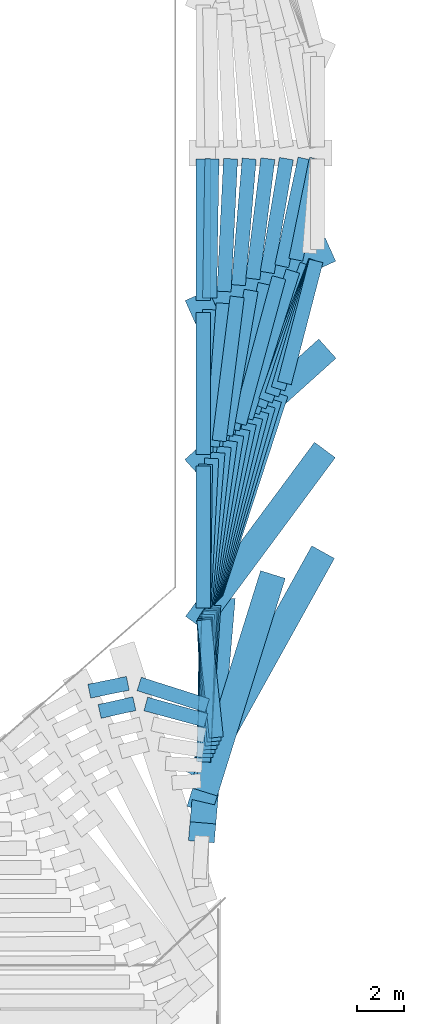
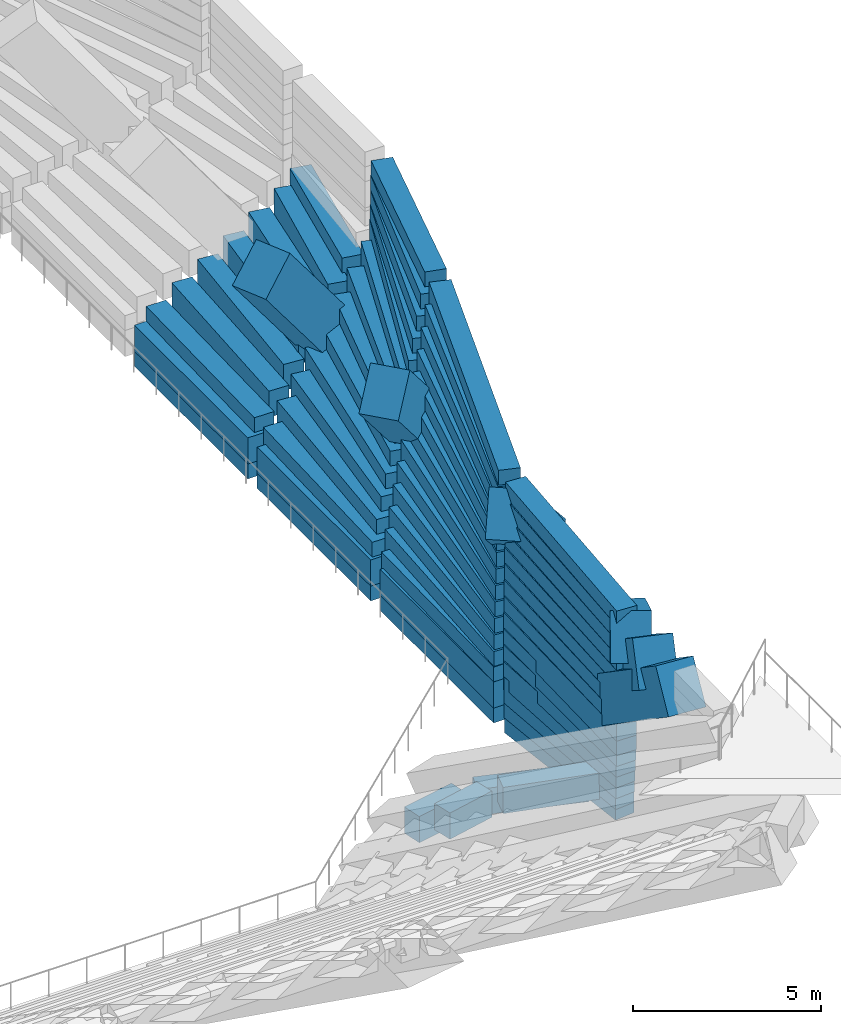
# One storey, part 16 of 55: 64 beams.
"""IFC4 building model written with IfcOpenShell, lengths in metres."""

from ifc_helpers import new_model, si_unit, derived_unit, direction, frame, origin, origin_2d, place, context, subcontext, project, spatial, rectangle, extrude, material, material_profile, profile_set, type_object, element, save


model = new_model("IFC4")

# Units and contexts
model_context = context("Model", 3, precision=1e-05, world=origin(), true_north=direction((0.0, 1.0)))
body_context = subcontext(model_context, "Body", "Model", "MODEL_VIEW")
ifc_project = project(units=[si_unit("LENGTHUNIT", "METRE"), si_unit("AREAUNIT", "SQUARE_METRE"), si_unit("VOLUMEUNIT", "CUBIC_METRE"), si_unit("PLANEANGLEUNIT", "RADIAN"), si_unit("MASSUNIT", "GRAM", prefix="KILO"), derived_unit("THERMALTRANSMITTANCEUNIT", [(si_unit("MASSUNIT", "GRAM", prefix="KILO"), 1), (si_unit("TIMEUNIT", "SECOND"), -3), (si_unit("THERMODYNAMICTEMPERATUREUNIT", "KELVIN"), -1)])], contexts=[model_context])

# Site, building, storey
site_placement = place(None, origin())
site = spatial("IfcSite", under=ifc_project, at=site_placement, CompositionType="ELEMENT")
building_placement = place(site_placement, origin())
building = spatial("IfcBuilding", under=site, at=building_placement, Name="Valcora Ridge Arena", CompositionType="ELEMENT")
storey_placement = place(building_placement, frame((0.0, 0.0, 21.0)))
storey = spatial("IfcBuildingStorey", under=building, at=storey_placement, Name="L04", CompositionType="ELEMENT", Elevation=21.0)

# Beams
ifc_material_1 = material(Name="Concrete C40/50", Category="concrete")
ifc_material_profile_1 = material_profile(ifc_material_1, rectangle(XDim=0.60009765625, YDim=0.85009765625, at=origin_2d()), Name="RC 600x850")
ifc_profile_set_1 = profile_set([ifc_material_profile_1], Name="Concrete C40/50")
beam_type_1 = type_object("IfcBeamType", Name="TY-BEAM-B-RC600-X", PredefinedType="BEAM", material=ifc_profile_set_1)
beam_1_placement = place(storey_placement, frame((84.20849609375, 41.24267578125, -8.22509765625), z_axis=(0.979945379048, 0.199266289379, 0.0), x_axis=(-0.199266289379, 0.979945379048, 0.0)))
element("IfcBeam", 1, at=beam_1_placement, inside=storey, type_object=beam_type_1, Name="B-RC600-X BEM-RU3-B-RC600-X-0017", PredefinedType="BEAM", context=body_context, shape_type="SweptSolid", body=[
    extrude(rectangle(XDim=0.60009765625, YDim=0.85009765625, at=origin_2d()), origin(), (0.0, 0.0, 1.0), 1.668701171875),
])
beam_2_placement = place(storey_placement, frame((86.326904296875, 41.54931640625, -8.22509765625), z_axis=(0.953115795478, -0.302605816883, 0.0), x_axis=(0.302605816883, 0.953115795478, 0.0)))
element("IfcBeam", 2, at=beam_2_placement, inside=storey, type_object=beam_type_1, Name="B-RC600-X BEM-RU3-B-RC600-X-0018", PredefinedType="BEAM", context=body_context, shape_type="SweptSolid", body=[
    extrude(rectangle(XDim=0.60009765625, YDim=0.85009765625, at=origin_2d()), origin(), (0.0, 0.0, 1.0), 3.034423828125),
])
beam_3_placement = place(storey_placement, frame((89.6015625, 39.2783203125, -8.22509765625), z_axis=(-0.104806358632, 0.994492648133, 0.0), x_axis=(-0.994492648133, -0.104806358632, 0.0)))
element("IfcBeam", 3, at=beam_3_placement, inside=storey, type_object=beam_type_1, Name="B-RC600-X BEM-RU3-B-RC600-X-0019", PredefinedType="BEAM", context=body_context, shape_type="SweptSolid", body=[
    extrude(rectangle(XDim=0.60009765625, YDim=0.85009765625, at=origin_2d()), origin(), (0.0, 0.0, 1.0), 5.017578125),
])
beam_4_placement = place(storey_placement, frame((89.049560546875, 44.766845703125, -8.22509765625), z_axis=(0.0, 1.0, 0.0), x_axis=(-1.0, 0.0, 0.0)))
element("IfcBeam", 4, at=beam_4_placement, inside=storey, type_object=beam_type_1, Name="B-RC600-X BEM-RU3-B-RC600-X-0020", PredefinedType="BEAM", context=body_context, shape_type="SweptSolid", body=[
    extrude(rectangle(XDim=0.60009765625, YDim=0.85009765625, at=origin_2d()), origin(), (0.0, 0.0, 1.0), 6.02783203125),
])
beam_5_placement = place(storey_placement, frame((89.049560546875, 51.294677734375, -8.22509765625), z_axis=(0.0, 1.0, 0.0), x_axis=(-1.0, 0.0, 0.0)))
element("IfcBeam", 5, at=beam_5_placement, inside=storey, type_object=beam_type_1, Name="B-RC600-X BEM-RU3-B-RC600-X-0021", PredefinedType="BEAM", context=body_context, shape_type="SweptSolid", body=[
    extrude(rectangle(XDim=0.60009765625, YDim=0.85009765625, at=origin_2d()), origin(), (0.0, 0.0, 1.0), 6.027587890625),
])
beam_6_placement = place(storey_placement, frame((89.049560546875, 57.822265625, -8.22509765625), z_axis=(0.0, 1.0, 0.0), x_axis=(-1.0, 0.0, 0.0)))
element("IfcBeam", 6, at=beam_6_placement, inside=storey, type_object=beam_type_1, Name="B-RC600-X BEM-RU3-B-RC600-X-0022", PredefinedType="BEAM", context=body_context, shape_type="SweptSolid", body=[
    extrude(rectangle(XDim=0.60009765625, YDim=0.85009765625, at=origin_2d()), origin(), (0.0, 0.0, 1.0), 6.02783203125),
])
beam_7_placement = place(storey_placement, frame((84.646484375, 40.3828125, -7.7451171875), z_axis=(0.97615664902, 0.217067262787, 0.0), x_axis=(-0.217067262787, 0.97615664902, 0.0)))
element("IfcBeam", 7, at=beam_7_placement, inside=storey, type_object=beam_type_1, Name="B-RC600-X BEM-RU3-B-RC600-X-0066", PredefinedType="BEAM", context=body_context, shape_type="SweptSolid", body=[
    extrude(rectangle(XDim=0.60009765625, YDim=0.85009765625, at=origin_2d()), origin(), (0.0, 0.0, 1.0), 1.51171875),
])
beam_8_placement = place(storey_placement, frame((86.607177734375, 40.699462890625, -7.7451171875), z_axis=(0.964567906119, -0.26383471054, 0.0), x_axis=(0.26383471054, 0.964567906119, 0.0)))
element("IfcBeam", 8, at=beam_8_placement, inside=storey, type_object=beam_type_1, Name="B-RC600-X BEM-RU3-B-RC600-X-0067", PredefinedType="BEAM", context=body_context, shape_type="SweptSolid", body=[
    extrude(rectangle(XDim=0.60009765625, YDim=0.85009765625, at=origin_2d()), origin(), (0.0, 0.0, 1.0), 2.649169921875),
])
beam_9_placement = place(storey_placement, frame((89.510986328125, 39.107421875, -7.7451171875), z_axis=(-0.084996000673, 0.996381292413, 0.0), x_axis=(-0.996381292413, -0.084996000673, 0.0)))
element("IfcBeam", 9, at=beam_9_placement, inside=storey, type_object=beam_type_1, Name="B-RC600-X BEM-RU3-B-RC600-X-0068", PredefinedType="BEAM", context=body_context, shape_type="SweptSolid", body=[
    extrude(rectangle(XDim=0.60009765625, YDim=0.85009765625, at=origin_2d()), origin(), (0.0, 0.0, 1.0), 5.178955078125),
])
beam_10_placement = place(storey_placement, frame((89.049560546875, 44.766845703125, -7.7451171875), z_axis=(0.0, 1.0, 0.0), x_axis=(-1.0, 0.0, 0.0)))
element("IfcBeam", 10, at=beam_10_placement, inside=storey, type_object=beam_type_1, Name="B-RC600-X BEM-RU3-B-RC600-X-0069", PredefinedType="BEAM", context=body_context, shape_type="SweptSolid", body=[
    extrude(rectangle(XDim=0.60009765625, YDim=0.85009765625, at=origin_2d()), origin(), (0.0, 0.0, 1.0), 6.02783203125),
])
beam_11_placement = place(storey_placement, frame((89.049560546875, 51.294677734375, -7.7451171875), z_axis=(0.0, 1.0, 0.0), x_axis=(-1.0, 0.0, 0.0)))
element("IfcBeam", 11, at=beam_11_placement, inside=storey, type_object=beam_type_1, Name="B-RC600-X BEM-RU3-B-RC600-X-0070", PredefinedType="BEAM", context=body_context, shape_type="SweptSolid", body=[
    extrude(rectangle(XDim=0.60009765625, YDim=0.85009765625, at=origin_2d()), origin(), (0.0, 0.0, 1.0), 6.027587890625),
])
beam_12_placement = place(storey_placement, frame((89.049560546875, 57.822265625, -7.7451171875), z_axis=(0.0, 1.0, 0.0), x_axis=(-1.0, 0.0, 0.0)))
element("IfcBeam", 12, at=beam_12_placement, inside=storey, type_object=beam_type_1, Name="B-RC600-X BEM-RU3-B-RC600-X-0071", PredefinedType="BEAM", context=body_context, shape_type="SweptSolid", body=[
    extrude(rectangle(XDim=0.60009765625, YDim=0.85009765625, at=origin_2d()), origin(), (0.0, 0.0, 1.0), 6.02783203125),
])
beam_13_placement = place(storey_placement, frame((89.42041015625, 38.93603515625, -7.264892578125), z_axis=(-0.066300652641, 0.99779969105, 0.0), x_axis=(-0.99779969105, -0.066300652641, 0.0)))
element("IfcBeam", 13, at=beam_13_placement, inside=storey, type_object=beam_type_1, Name="B-RC600-X BEM-RU3-B-RC600-X-0119", PredefinedType="BEAM", context=body_context, shape_type="SweptSolid", body=[
    extrude(rectangle(XDim=0.60009765625, YDim=0.85009765625, at=origin_2d()), origin(), (0.0, 0.0, 1.0), 5.343017578125),
])
beam_14_placement = place(storey_placement, frame((89.052978515625, 44.766845703125, -7.264892578125), z_axis=(0.014257447522, 0.999898357429, 0.0), x_axis=(-0.999898357429, 0.014257447522, 0.0)))
element("IfcBeam", 14, at=beam_14_placement, inside=storey, type_object=beam_type_1, Name="B-RC600-X BEM-RU3-B-RC600-X-0120", PredefinedType="BEAM", context=body_context, shape_type="SweptSolid", body=[
    extrude(rectangle(XDim=0.60009765625, YDim=0.85009765625, at=origin_2d()), origin(), (0.0, 0.0, 1.0), 6.11328125),
])
beam_15_placement = place(storey_placement, frame((89.150390625, 51.37939453125, -7.264892578125), z_axis=(0.026245284998, 0.999655533179, 0.0), x_axis=(-0.999655533179, 0.026245284998, 0.0)))
element("IfcBeam", 15, at=beam_15_placement, inside=storey, type_object=beam_type_1, Name="B-RC600-X BEM-RU3-B-RC600-X-0121", PredefinedType="BEAM", context=body_context, shape_type="SweptSolid", body=[
    extrude(rectangle(XDim=0.60009765625, YDim=0.85009765625, at=origin_2d()), origin(), (0.0, 0.0, 1.0), 6.065185546875),
])
beam_16_placement = place(storey_placement, frame((89.3203125, 57.942138671875, -7.264892578125), z_axis=(0.01619689153, 0.999868821749, 0.0), x_axis=(-0.999868821749, 0.01619689153, 0.0)))
element("IfcBeam", 16, at=beam_16_placement, inside=storey, type_object=beam_type_1, Name="B-RC600-X BEM-RU3-B-RC600-X-0122", PredefinedType="BEAM", context=body_context, shape_type="SweptSolid", body=[
    extrude(rectangle(XDim=0.60009765625, YDim=0.85009765625, at=origin_2d()), origin(), (0.0, 0.0, 1.0), 5.90869140625),
])
beam_17_placement = place(storey_placement, frame((89.329833984375, 38.7646484375, -6.784912109375), z_axis=(-0.047008360598, 0.998894495947, 0.0), x_axis=(-0.998894495947, -0.047008360598, 0.0)))
element("IfcBeam", 17, at=beam_17_placement, inside=storey, type_object=beam_type_1, Name="B-RC600-X BEM-RU3-B-RC600-X-0169", PredefinedType="BEAM", context=body_context, shape_type="SweptSolid", body=[
    extrude(rectangle(XDim=0.60009765625, YDim=0.85009765625, at=origin_2d()), origin(), (0.0, 0.0, 1.0), 5.520751953125),
])
beam_18_placement = place(storey_placement, frame((89.07177734375, 44.77880859375, -6.784912109375), z_axis=(0.052353199122, 0.998628630944, 0.0), x_axis=(-0.998628630944, 0.052353199122, 0.0)))
element("IfcBeam", 18, at=beam_18_placement, inside=storey, type_object=beam_type_1, Name="B-RC600-X BEM-RU3-B-RC600-X-0170", PredefinedType="BEAM", context=body_context, shape_type="SweptSolid", body=[
    extrude(rectangle(XDim=0.60009765625, YDim=0.85009765625, at=origin_2d()), origin(), (0.0, 0.0, 1.0), 6.356201171875),
])
beam_19_placement = place(storey_placement, frame((89.4365234375, 51.625244140625, -6.784912109375), z_axis=(0.075766988181, 0.997125550521, 0.0), x_axis=(-0.997125550521, 0.075766988181, 0.0)))
element("IfcBeam", 19, at=beam_19_placement, inside=storey, type_object=beam_type_1, Name="B-RC600-X BEM-RU3-B-RC600-X-0171", PredefinedType="BEAM", context=body_context, shape_type="SweptSolid", body=[
    extrude(rectangle(XDim=0.60009765625, YDim=0.85009765625, at=origin_2d()), origin(), (0.0, 0.0, 1.0), 6.106201171875),
])
beam_20_placement = place(storey_placement, frame((89.930419921875, 58.212890625, -6.784912109375), z_axis=(0.049137228954, 0.998792036778, 0.0), x_axis=(-0.998792036778, 0.049137228954, 0.0)))
element("IfcBeam", 20, at=beam_20_placement, inside=storey, type_object=beam_type_1, Name="B-RC600-X BEM-RU3-B-RC600-X-0172", PredefinedType="BEAM", context=body_context, shape_type="SweptSolid", body=[
    extrude(rectangle(XDim=0.60009765625, YDim=0.85009765625, at=origin_2d()), origin(), (0.0, 0.0, 1.0), 5.644287109375),
])
beam_21_placement = place(storey_placement, frame((89.24072265625, 38.59326171875, -6.304931640625), z_axis=(-0.022936565326, 0.999736922381, 0.0), x_axis=(-0.999736922381, -0.022936565326, 0.0)))
element("IfcBeam", 21, at=beam_21_placement, inside=storey, type_object=beam_type_1, Name="B-RC600-X BEM-RU3-B-RC600-X-0213", PredefinedType="BEAM", context=body_context, shape_type="SweptSolid", body=[
    extrude(rectangle(XDim=0.60009765625, YDim=0.85009765625, at=origin_2d()), origin(), (0.0, 0.0, 1.0), 5.747802734375),
])
beam_22_placement = place(storey_placement, frame((89.1240234375, 44.83837890625, -6.304931640625), z_axis=(0.083393632933, 0.996516684249, 0.0), x_axis=(-0.996516684249, 0.083393632933, 0.0)))
element("IfcBeam", 22, at=beam_22_placement, inside=storey, type_object=beam_type_1, Name="B-RC600-X BEM-RU3-B-RC600-X-0214", PredefinedType="BEAM", context=body_context, shape_type="SweptSolid", body=[
    extrude(rectangle(XDim=0.60009765625, YDim=0.85009765625, at=origin_2d()), origin(), (0.0, 0.0, 1.0), 6.557861328125),
])
beam_23_placement = place(storey_placement, frame((89.72265625, 51.87060546875, -6.304931640625), z_axis=(0.124341873521, 0.992239436068, 0.0), x_axis=(-0.992239436068, 0.124341873521, 0.0)))
element("IfcBeam", 23, at=beam_23_placement, inside=storey, type_object=beam_type_1, Name="B-RC600-X BEM-RU3-B-RC600-X-0215", PredefinedType="BEAM", context=body_context, shape_type="SweptSolid", body=[
    extrude(rectangle(XDim=0.60009765625, YDim=0.85009765625, at=origin_2d()), origin(), (0.0, 0.0, 1.0), 6.163330078125),
])
beam_24_placement = place(storey_placement, frame((90.541259765625, 58.483154296875, -6.304931640625), z_axis=(0.084928108385, 0.996387081613, 0.0), x_axis=(-0.996387081613, 0.084928108385, 0.0)))
element("IfcBeam", 24, at=beam_24_placement, inside=storey, type_object=beam_type_1, Name="B-RC600-X BEM-RU3-B-RC600-X-0216", PredefinedType="BEAM", context=body_context, shape_type="SweptSolid", body=[
    extrude(rectangle(XDim=0.60009765625, YDim=0.85009765625, at=origin_2d()), origin(), (0.0, 0.0, 1.0), 5.38720703125),
])
beam_25_placement = place(storey_placement, frame((89.15087890625, 38.421875, -5.824951171875), z_axis=(-0.001103661852, 0.999999390965, 0.0), x_axis=(-0.999999390965, -0.001103661852, 0.0)))
element("IfcBeam", 25, at=beam_25_placement, inside=storey, type_object=beam_type_1, Name="B-RC600-X BEM-RU3-B-RC600-X-0252", PredefinedType="BEAM", context=body_context, shape_type="SweptSolid", body=[
    extrude(rectangle(XDim=0.60009765625, YDim=0.85009765625, at=origin_2d()), origin(), (0.0, 0.0, 1.0), 5.97265625),
])
beam_26_placement = place(storey_placement, frame((89.17236328125, 44.89306640625, -5.824951171875), z_axis=(0.112967938717, 0.993598633666, 0.0), x_axis=(-0.993598633666, 0.112967938717, 0.0)))
element("IfcBeam", 26, at=beam_26_placement, inside=storey, type_object=beam_type_1, Name="B-RC600-X BEM-RU3-B-RC600-X-0253", PredefinedType="BEAM", context=body_context, shape_type="SweptSolid", body=[
    extrude(rectangle(XDim=0.60009765625, YDim=0.85009765625, at=origin_2d()), origin(), (0.0, 0.0, 1.0), 6.77099609375),
])
beam_27_placement = place(storey_placement, frame((90.00830078125, 52.115234375, -5.824951171875), z_axis=(0.171707943233, 0.985147898658, 0.0), x_axis=(-0.985147898658, 0.171707943233, 0.0)))
element("IfcBeam", 27, at=beam_27_placement, inside=storey, type_object=beam_type_1, Name="B-RC600-X BEM-RU3-B-RC600-X-0254", PredefinedType="BEAM", context=body_context, shape_type="SweptSolid", body=[
    extrude(rectangle(XDim=0.60009765625, YDim=0.85009765625, at=origin_2d()), origin(), (0.0, 0.0, 1.0), 6.236083984375),
])
beam_28_placement = place(storey_placement, frame((91.153076171875, 58.753173828125, -5.824951171875), z_axis=(0.123777416669, 0.99231000757, 0.0), x_axis=(-0.99231000757, 0.123777416669, 0.0)))
element("IfcBeam", 28, at=beam_28_placement, inside=storey, type_object=beam_type_1, Name="B-RC600-X BEM-RU3-B-RC600-X-0255", PredefinedType="BEAM", context=body_context, shape_type="SweptSolid", body=[
    extrude(rectangle(XDim=0.60009765625, YDim=0.85009765625, at=origin_2d()), origin(), (0.0, 0.0, 1.0), 5.13818359375),
])
beam_29_placement = place(storey_placement, frame((89.060546875, 38.25048828125, -5.344970703125), z_axis=(0.019293824427, 0.999813856845, 0.0), x_axis=(-0.999813856845, 0.019293824427, 0.0)))
element("IfcBeam", 29, at=beam_29_placement, inside=storey, type_object=beam_type_1, Name="B-RC600-X BEM-RU3-B-RC600-X-0286", PredefinedType="BEAM", context=body_context, shape_type="SweptSolid", body=[
    extrude(rectangle(XDim=0.60009765625, YDim=0.85009765625, at=origin_2d()), origin(), (0.0, 0.0, 1.0), 6.200439453125),
])
beam_30_placement = place(storey_placement, frame((89.22021484375, 44.947265625, -5.344970703125), z_axis=(0.140751444775, 0.990044964026, 0.0), x_axis=(-0.990044964026, 0.140751444775, 0.0)))
element("IfcBeam", 30, at=beam_30_placement, inside=storey, type_object=beam_type_1, Name="B-RC600-X BEM-RU3-B-RC600-X-0287", PredefinedType="BEAM", context=body_context, shape_type="SweptSolid", body=[
    extrude(rectangle(XDim=0.60009765625, YDim=0.85009765625, at=origin_2d()), origin(), (0.0, 0.0, 1.0), 6.990234375),
])
beam_31_placement = place(storey_placement, frame((90.293701171875, 52.359375, -5.344970703125), z_axis=(0.217613021466, 0.976035128921, 0.0), x_axis=(-0.976035128921, 0.217613021466, 0.0)))
element("IfcBeam", 31, at=beam_31_placement, inside=storey, type_object=beam_type_1, Name="B-RC600-X BEM-RU3-B-RC600-X-0288", PredefinedType="BEAM", context=body_context, shape_type="SweptSolid", body=[
    extrude(rectangle(XDim=0.60009765625, YDim=0.85009765625, at=origin_2d()), origin(), (0.0, 0.0, 1.0), 6.32421875),
])
beam_32_placement = place(storey_placement, frame((91.765625, 59.0224609375, -5.344970703125), z_axis=(0.165950401987, 0.986134100455, 0.0), x_axis=(-0.986134100455, 0.165950401987, 0.0)))
element("IfcBeam", 32, at=beam_32_placement, inside=storey, type_object=beam_type_1, Name="B-RC600-X BEM-RU3-B-RC600-X-0289", PredefinedType="BEAM", context=body_context, shape_type="SweptSolid", body=[
    extrude(rectangle(XDim=0.60009765625, YDim=0.85009765625, at=origin_2d()), origin(), (0.0, 0.0, 1.0), 4.89892578125),
])
beam_33_placement = place(storey_placement, frame((89.055908203125, 38.239013671875, -4.864990234375), z_axis=(0.026095684223, 0.999659449645, 0.0), x_axis=(-0.999659449645, 0.026095684223, 0.0)))
element("IfcBeam", 33, at=beam_33_placement, inside=storey, type_object=beam_type_1, Name="B-RC600-X BEM-RU3-B-RC600-X-0317", PredefinedType="BEAM", context=body_context, shape_type="SweptSolid", body=[
    extrude(rectangle(XDim=0.60009765625, YDim=0.85009765625, at=origin_2d()), origin(), (0.0, 0.0, 1.0), 6.268310546875),
])
beam_34_placement = place(storey_placement, frame((89.267578125, 45.00146484375, -4.864990234375), z_axis=(0.166851218588, 0.98598208445, 0.0), x_axis=(-0.98598208445, 0.166851218588, 0.0)))
element("IfcBeam", 34, at=beam_34_placement, inside=storey, type_object=beam_type_1, Name="B-RC600-X BEM-RU3-B-RC600-X-0318", PredefinedType="BEAM", context=body_context, shape_type="SweptSolid", body=[
    extrude(rectangle(XDim=0.60009765625, YDim=0.85009765625, at=origin_2d()), origin(), (0.0, 0.0, 1.0), 7.215087890625),
])
beam_35_placement = place(storey_placement, frame((90.57861328125, 52.603271484375, -4.864990234375), z_axis=(0.261760561409, 0.965132844996, 0.0), x_axis=(-0.965132844996, 0.261760561409, 0.0)))
element("IfcBeam", 35, at=beam_35_placement, inside=storey, type_object=beam_type_1, Name="B-RC600-X BEM-RU3-B-RC600-X-0319", PredefinedType="BEAM", context=body_context, shape_type="SweptSolid", body=[
    extrude(rectangle(XDim=0.60009765625, YDim=0.85009765625, at=origin_2d()), origin(), (0.0, 0.0, 1.0), 6.42626953125),
])
beam_36_placement = place(storey_placement, frame((92.379150390625, 59.291015625, -4.864990234375), z_axis=(0.211552790219, 0.977366572454, 0.0), x_axis=(-0.977366572454, 0.211552790219, 0.0)))
element("IfcBeam", 36, at=beam_36_placement, inside=storey, type_object=beam_type_1, Name="B-RC600-X BEM-RU3-B-RC600-X-0320", PredefinedType="BEAM", context=body_context, shape_type="SweptSolid", body=[
    extrude(rectangle(XDim=0.60009765625, YDim=0.85009765625, at=origin_2d()), origin(), (0.0, 0.0, 1.0), 4.67041015625),
])
beam_37_placement = place(storey_placement, frame((89.0576171875, 38.239013671875, -4.385009765625), z_axis=(0.031808398098, 0.99949398488, 0.0), x_axis=(-0.99949398488, 0.031808398098, 0.0)))
element("IfcBeam", 37, at=beam_37_placement, inside=storey, type_object=beam_type_1, Name="B-RC600-X BEM-RU3-B-RC600-X-0347", PredefinedType="BEAM", context=body_context, shape_type="SweptSolid", body=[
    extrude(rectangle(XDim=0.60009765625, YDim=0.85009765625, at=origin_2d()), origin(), (0.0, 0.0, 1.0), 6.324462890625),
])
beam_38_placement = place(storey_placement, frame((89.314697265625, 45.0556640625, -4.385009765625), z_axis=(0.191346242185, 0.981522600658, 0.0), x_axis=(-0.981522600658, 0.191346242185, 0.0)))
element("IfcBeam", 38, at=beam_38_placement, inside=storey, type_object=beam_type_1, Name="B-RC600-X BEM-RU3-B-RC600-X-0348", PredefinedType="BEAM", context=body_context, shape_type="SweptSolid", body=[
    extrude(rectangle(XDim=0.60009765625, YDim=0.85009765625, at=origin_2d()), origin(), (0.0, 0.0, 1.0), 7.44482421875),
])
beam_39_placement = place(storey_placement, frame((90.863037109375, 52.8466796875, -4.385009765625), z_axis=(0.304044497083, 0.952657831435, 0.0), x_axis=(-0.952657831435, 0.304044497083, 0.0)))
element("IfcBeam", 39, at=beam_39_placement, inside=storey, type_object=beam_type_1, Name="B-RC600-X BEM-RU3-B-RC600-X-0349", PredefinedType="BEAM", context=body_context, shape_type="SweptSolid", body=[
    extrude(rectangle(XDim=0.60009765625, YDim=0.85009765625, at=origin_2d()), origin(), (0.0, 0.0, 1.0), 6.542724609375),
])
beam_40_placement = place(storey_placement, frame((92.97802734375, 59.562744140625, -4.385009765625), z_axis=(0.199212986591, 0.979956216355, 0.0), x_axis=(-0.979956216355, 0.199212986591, 0.0)))
element("IfcBeam", 40, at=beam_40_placement, inside=storey, type_object=beam_type_1, Name="B-RC600-X BEM-RU3-B-RC600-X-0350", PredefinedType="BEAM", context=body_context, shape_type="SweptSolid", body=[
    extrude(rectangle(XDim=0.60009765625, YDim=0.85009765625, at=origin_2d()), origin(), (0.0, 0.0, 1.0), 4.380126953125),
])
beam_41_placement = place(storey_placement, frame((89.058837890625, 38.239013671875, -3.905029296875), z_axis=(0.037533836645, 0.999295357293, 0.0), x_axis=(-0.999295357293, 0.037533836645, 0.0)))
element("IfcBeam", 41, at=beam_41_placement, inside=storey, type_object=beam_type_1, Name="B-RC600-X BEM-RU3-B-RC600-X-0377", PredefinedType="BEAM", context=body_context, shape_type="SweptSolid", body=[
    extrude(rectangle(XDim=0.60009765625, YDim=0.85009765625, at=origin_2d()), origin(), (0.0, 0.0, 1.0), 6.380859375),
])
beam_42_placement = place(storey_placement, frame((89.361328125, 45.109619140625, -3.905029296875), z_axis=(0.214337757333, 0.976759604909, 0.0), x_axis=(-0.976759604909, 0.214337757333, 0.0)))
element("IfcBeam", 42, at=beam_42_placement, inside=storey, type_object=beam_type_1, Name="B-RC600-X BEM-RU3-B-RC600-X-0378", PredefinedType="BEAM", context=body_context, shape_type="SweptSolid", body=[
    extrude(rectangle(XDim=0.60009765625, YDim=0.85009765625, at=origin_2d()), origin(), (0.0, 0.0, 1.0), 7.679443359375),
])
beam_43_placement = place(storey_placement, frame((91.147216796875, 53.089599609375, -3.905029296875), z_axis=(0.344244972863, 0.938879863805, 0.0), x_axis=(-0.938879863805, 0.344244972863, 0.0)))
element("IfcBeam", 43, at=beam_43_placement, inside=storey, type_object=beam_type_1, Name="B-RC600-X BEM-RU3-B-RC600-X-0379", PredefinedType="BEAM", context=body_context, shape_type="SweptSolid", body=[
    extrude(rectangle(XDim=0.60009765625, YDim=0.85009765625, at=origin_2d()), origin(), (0.0, 0.0, 1.0), 6.672119140625),
])
beam_44_placement = place(storey_placement, frame((89.060302734375, 38.239013671875, -3.425048828125), z_axis=(0.043117956988, 0.999069988432, 0.0), x_axis=(-0.999069988432, 0.043117956988, 0.0)))
element("IfcBeam", 44, at=beam_44_placement, inside=storey, type_object=beam_type_1, Name="B-RC600-X BEM-RU3-B-RC600-X-0408", PredefinedType="BEAM", context=body_context, shape_type="SweptSolid", body=[
    extrude(rectangle(XDim=0.60009765625, YDim=0.85009765625, at=origin_2d()), origin(), (0.0, 0.0, 1.0), 6.43798828125),
])
beam_45_placement = place(storey_placement, frame((89.40771484375, 45.16357421875, -3.425048828125), z_axis=(0.235928283257, 0.97177046938, 0.0), x_axis=(-0.97177046938, 0.235928283257, 0.0)))
element("IfcBeam", 45, at=beam_45_placement, inside=storey, type_object=beam_type_1, Name="B-RC600-X BEM-RU3-B-RC600-X-0409", PredefinedType="BEAM", context=body_context, shape_type="SweptSolid", body=[
    extrude(rectangle(XDim=0.60009765625, YDim=0.85009765625, at=origin_2d()), origin(), (0.0, 0.0, 1.0), 7.91845703125),
])
beam_46_placement = place(storey_placement, frame((91.4248046875, 53.334716796875, -3.425048828125), z_axis=(0.359770884492, 0.933040680073, 0.0), x_axis=(-0.933040680073, 0.359770884492, 0.0)))
element("IfcBeam", 46, at=beam_46_placement, inside=storey, type_object=beam_type_1, Name="B-RC600-X BEM-RU3-B-RC600-X-0410", PredefinedType="BEAM", context=body_context, shape_type="SweptSolid", body=[
    extrude(rectangle(XDim=0.60009765625, YDim=0.85009765625, at=origin_2d()), origin(), (0.0, 0.0, 1.0), 6.63134765625),
])
beam_47_placement = place(storey_placement, frame((89.061767578125, 38.23876953125, -2.945068359375), z_axis=(0.048565236205, 0.998820012731, 0.0), x_axis=(-0.998820012731, 0.048565236205, 0.0)))
element("IfcBeam", 47, at=beam_47_placement, inside=storey, type_object=beam_type_1, Name="B-RC600-X BEM-RU3-B-RC600-X-0440", PredefinedType="BEAM", context=body_context, shape_type="SweptSolid", body=[
    extrude(rectangle(XDim=0.60009765625, YDim=0.85009765625, at=origin_2d()), origin(), (0.0, 0.0, 1.0), 6.494873046875),
])
beam_48_placement = place(storey_placement, frame((89.45361328125, 45.217529296875, -2.945068359375), z_axis=(0.256223086986, 0.966617675038, 0.0), x_axis=(-0.966617675038, 0.256223086986, 0.0)))
element("IfcBeam", 48, at=beam_48_placement, inside=storey, type_object=beam_type_1, Name="B-RC600-X BEM-RU3-B-RC600-X-0441", PredefinedType="BEAM", context=body_context, shape_type="SweptSolid", body=[
    extrude(rectangle(XDim=0.60009765625, YDim=0.85009765625, at=origin_2d()), origin(), (0.0, 0.0, 1.0), 8.1611328125),
])
beam_49_placement = place(storey_placement, frame((91.693115234375, 53.583251953125, -2.945068359375), z_axis=(0.33677300089, 0.941585867498, 0.0), x_axis=(-0.941585867498, 0.33677300089, 0.0)))
element("IfcBeam", 49, at=beam_49_placement, inside=storey, type_object=beam_type_1, Name="B-RC600-X BEM-RU3-B-RC600-X-0442", PredefinedType="BEAM", context=body_context, shape_type="SweptSolid", body=[
    extrude(rectangle(XDim=0.60009765625, YDim=0.85009765625, at=origin_2d()), origin(), (0.0, 0.0, 1.0), 6.304931640625),
])
beam_50_placement = place(storey_placement, frame((89.06298828125, 38.23876953125, -2.465087890625), z_axis=(0.054027471244, 0.998539449572, 0.0), x_axis=(-0.998539449572, 0.054027471244, 0.0)))
element("IfcBeam", 50, at=beam_50_placement, inside=storey, type_object=beam_type_1, Name="B-RC600-X BEM-RU3-B-RC600-X-0472", PredefinedType="BEAM", context=body_context, shape_type="SweptSolid", body=[
    extrude(rectangle(XDim=0.60009765625, YDim=0.85009765625, at=origin_2d()), origin(), (0.0, 0.0, 1.0), 6.55224609375),
])
beam_51_placement = place(storey_placement, frame((89.499267578125, 45.271240234375, -2.465087890625), z_axis=(0.275307860475, 0.961356116099, 0.0), x_axis=(-0.961356116099, 0.275307860475, 0.0)))
element("IfcBeam", 51, at=beam_51_placement, inside=storey, type_object=beam_type_1, Name="B-RC600-X BEM-RU3-B-RC600-X-0473", PredefinedType="BEAM", context=body_context, shape_type="SweptSolid", body=[
    extrude(rectangle(XDim=0.60009765625, YDim=0.85009765625, at=origin_2d()), origin(), (0.0, 0.0, 1.0), 8.40771484375),
])
beam_52_placement = place(storey_placement, frame((91.96044921875, 53.83203125, -2.465087890625), z_axis=(0.311277631017, 0.95031901824, 0.0), x_axis=(-0.95031901824, 0.311277631017, 0.0)))
element("IfcBeam", 52, at=beam_52_placement, inside=storey, type_object=beam_type_1, Name="B-RC600-X BEM-RU3-B-RC600-X-0474", PredefinedType="BEAM", context=body_context, shape_type="SweptSolid", body=[
    extrude(rectangle(XDim=0.60009765625, YDim=0.85009765625, at=origin_2d()), origin(), (0.0, 0.0, 1.0), 5.982666015625),
])
beam_53_placement = place(storey_placement, frame((89.064208984375, 38.23876953125, -1.985107421875), z_axis=(0.059358609219, 0.998236723183, 0.0), x_axis=(-0.998236723183, 0.059358609219, 0.0)))
element("IfcBeam", 53, at=beam_53_placement, inside=storey, type_object=beam_type_1, Name="B-RC600-X BEM-RU3-B-RC600-X-0504", PredefinedType="BEAM", context=body_context, shape_type="SweptSolid", body=[
    extrude(rectangle(XDim=0.60009765625, YDim=0.85009765625, at=origin_2d()), origin(), (0.0, 0.0, 1.0), 6.609619140625),
])
beam_54_placement = place(storey_placement, frame((89.544677734375, 45.3251953125, -1.985107421875), z_axis=(0.293233605585, 0.956040821595, 0.0), x_axis=(-0.956040821595, 0.293233605585, 0.0)))
element("IfcBeam", 54, at=beam_54_placement, inside=storey, type_object=beam_type_1, Name="B-RC600-X BEM-RU3-B-RC600-X-0505", PredefinedType="BEAM", context=body_context, shape_type="SweptSolid", body=[
    extrude(rectangle(XDim=0.60009765625, YDim=0.85009765625, at=origin_2d()), origin(), (0.0, 0.0, 1.0), 8.6572265625),
])
beam_55_placement = place(storey_placement, frame((92.227294921875, 54.080810546875, -1.985107421875), z_axis=(0.282838118421, 0.959167659363, 0.0), x_axis=(-0.959167659363, 0.282838118421, 0.0)))
element("IfcBeam", 55, at=beam_55_placement, inside=storey, type_object=beam_type_1, Name="B-RC600-X BEM-RU3-B-RC600-X-0506", PredefinedType="BEAM", context=body_context, shape_type="SweptSolid", body=[
    extrude(rectangle(XDim=0.60009765625, YDim=0.85009765625, at=origin_2d()), origin(), (0.0, 0.0, 1.0), 5.666015625),
])
beam_56_placement = place(storey_placement, frame((89.065673828125, 38.238525390625, -1.5048828125), z_axis=(0.064557550149, 0.997913985631, 0.0), x_axis=(-0.997913985631, 0.064557550149, 0.0)))
element("IfcBeam", 56, at=beam_56_placement, inside=storey, type_object=beam_type_1, Name="B-RC600-X BEM-RU3-B-RC600-X-0536", PredefinedType="BEAM", context=body_context, shape_type="SweptSolid", body=[
    extrude(rectangle(XDim=0.60009765625, YDim=0.85009765625, at=origin_2d()), origin(), (0.0, 0.0, 1.0), 6.667236328125),
])
beam_57_placement = place(storey_placement, frame((89.589599609375, 45.379150390625, -1.5048828125), z_axis=(0.310154665024, 0.950686112113, 0.0), x_axis=(-0.950686112113, 0.310154665024, 0.0)))
element("IfcBeam", 57, at=beam_57_placement, inside=storey, type_object=beam_type_1, Name="B-RC600-X BEM-RU3-B-RC600-X-0537", PredefinedType="BEAM", context=body_context, shape_type="SweptSolid", body=[
    extrude(rectangle(XDim=0.60009765625, YDim=0.85009765625, at=origin_2d()), origin(), (0.0, 0.0, 1.0), 8.909912109375),
])
beam_58_placement = place(storey_placement, frame((92.493408203125, 54.329345703125, -1.5048828125), z_axis=(0.251011204368, 0.967984181318, 0.0), x_axis=(-0.967984181318, 0.251011204368, 0.0)))
element("IfcBeam", 58, at=beam_58_placement, inside=storey, type_object=beam_type_1, Name="B-RC600-X BEM-RU3-B-RC600-X-0538", PredefinedType="BEAM", context=body_context, shape_type="SweptSolid", body=[
    extrude(rectangle(XDim=0.60009765625, YDim=0.85009765625, at=origin_2d()), origin(), (0.0, 0.0, 1.0), 5.355224609375),
])
ifc_material_2 = material(Name="Concrete C45/55", Category="concrete")
ifc_material_profile_2 = material_profile(ifc_material_2, rectangle(XDim=1.10009765625, YDim=1.39990234375, at=origin_2d()), Name="RC 1100x1400")
ifc_profile_set_2 = profile_set([ifc_material_profile_2], Name="Concrete C45/55")
beam_type_2 = type_object("IfcBeamType", Name="TY-BEAM-RKR-UPP-1400", PredefinedType="USERDEFINED", material=ifc_profile_set_2)
beam_59_placement = place(storey_placement, frame((89.824951171875, 44.820068359375, -8.52001953125), z_axis=(-0.070302438119, -0.815562376984, 0.574382778678), x_axis=(0.996305256442, -0.085882687352, 0.0)))
element("IfcBeam", 59, at=beam_59_placement, inside=storey, type_object=beam_type_2, Name="RKR-UPP-1400 BEM-RK-RKR-UPP-1400-0014", ObjectType="RAKER", PredefinedType="USERDEFINED", context=body_context, shape_type="SweptSolid", body=[
    extrude(rectangle(XDim=1.10009765625, YDim=1.39990234375, at=origin_2d()), origin(), (0.0, 0.0, 1.0), 11.734375),
])
beam_60_placement = place(storey_placement, frame((91.887451171875, 45.81494140625, -8.52001953125), z_axis=(-0.244785178938, -0.78332499089, 0.571386187109), x_axis=(0.95448132426, -0.298270685181, 0.0)))
element("IfcBeam", 60, at=beam_60_placement, inside=storey, type_object=beam_type_2, Name="RKR-UPP-1400 BEM-RK-RKR-UPP-1400-0015", ObjectType="RAKER", PredefinedType="USERDEFINED", context=body_context, shape_type="SweptSolid", body=[
    extrude(rectangle(XDim=1.10009765625, YDim=1.39990234375, at=origin_2d()), origin(), (0.0, 0.0, 1.0), 11.7958984375),
])
beam_61_placement = place(storey_placement, frame((93.949951171875, 46.81005859375, -8.52001953125), z_axis=(-0.405080546431, -0.729164962887, 0.551568860435), x_axis=(0.874162925188, -0.485632762719, 0.0)))
element("IfcBeam", 61, at=beam_61_placement, inside=storey, type_object=beam_type_2, Name="RKR-UPP-1400 BEM-RK-RKR-UPP-1400-0016", ObjectType="RAKER", PredefinedType="USERDEFINED", context=body_context, shape_type="SweptSolid", body=[
    extrude(rectangle(XDim=1.10009765625, YDim=1.39990234375, at=origin_2d()), origin(), (0.0, 0.0, 1.0), 12.2197265625),
])
beam_62_placement = place(storey_placement, frame((93.949951171875, 51.132568359375, -8.52001953125), z_axis=(-0.462416700366, -0.624279650921, 0.629639351271), x_axis=(0.803564994123, -0.59521701943, 0.0)))
element("IfcBeam", 62, at=beam_62_placement, inside=storey, type_object=beam_type_2, Name="RKR-UPP-1400 BEM-RK-RKR-UPP-1400-0017", ObjectType="RAKER", PredefinedType="USERDEFINED", context=body_context, shape_type="SweptSolid", body=[
    extrude(rectangle(XDim=1.10009765625, YDim=1.39990234375, at=origin_2d()), origin(), (0.0, 0.0, 1.0), 10.70458984375),
])
beam_63_placement = place(storey_placement, frame((93.949951171875, 55.455078125, -8.52001953125), z_axis=(-0.522417687068, -0.470188801658, 0.711338352005), x_axis=(0.66897485868, -0.74328503177, 0.0)))
element("IfcBeam", 63, at=beam_63_placement, inside=storey, type_object=beam_type_2, Name="RKR-UPP-1400 BEM-RK-RKR-UPP-1400-0018", ObjectType="RAKER", PredefinedType="USERDEFINED", context=body_context, shape_type="SweptSolid", body=[
    extrude(rectangle(XDim=1.10009765625, YDim=1.39990234375, at=origin_2d()), origin(), (0.0, 0.0, 1.0), 9.47509765625),
])
beam_64_placement = place(storey_placement, frame((93.949951171875, 59.777587890625, -8.52001953125), z_axis=(-0.571985337565, -0.257400454745, 0.778831033991), x_axis=(0.410374028123, -0.91191729726, 0.0)))
element("IfcBeam", 64, at=beam_64_placement, inside=storey, type_object=beam_type_2, Name="RKR-UPP-1400 BEM-RK-RKR-UPP-1400-0019", ObjectType="RAKER", PredefinedType="USERDEFINED", context=body_context, shape_type="SweptSolid", body=[
    extrude(rectangle(XDim=1.10009765625, YDim=1.39990234375, at=origin_2d()), origin(), (0.0, 0.0, 1.0), 8.654052734375),
])

save(model, "model.ifc")
